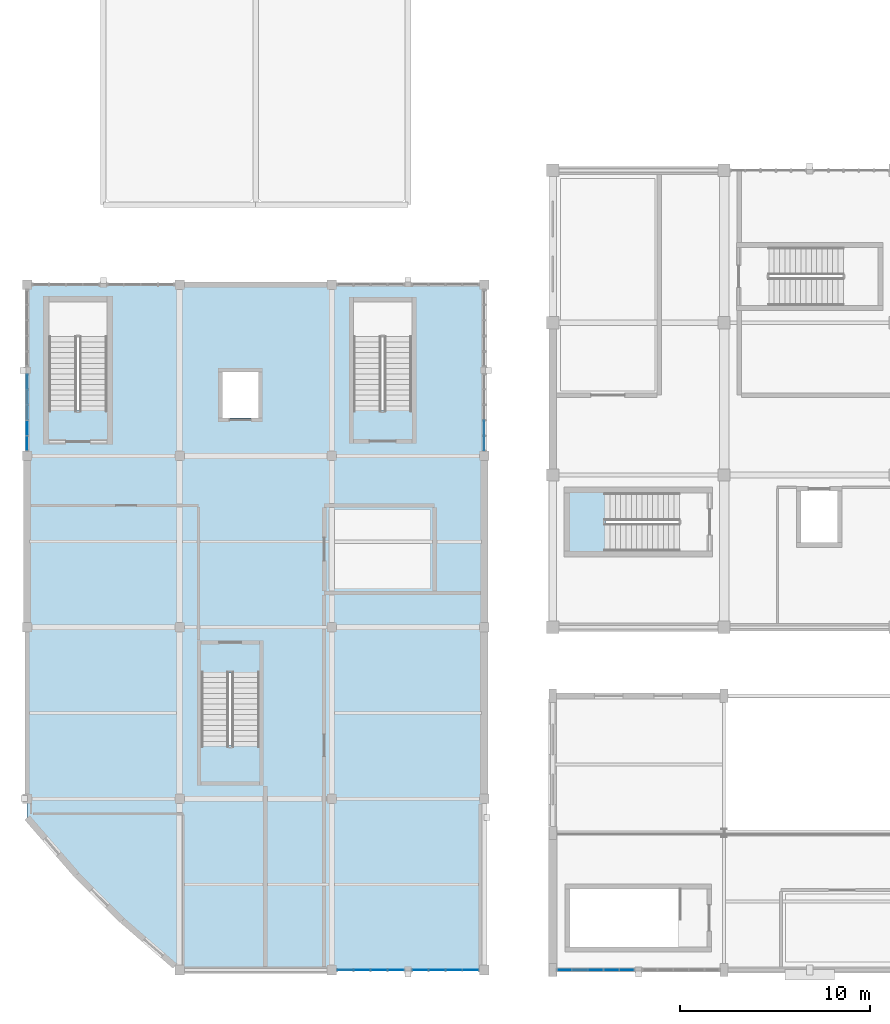
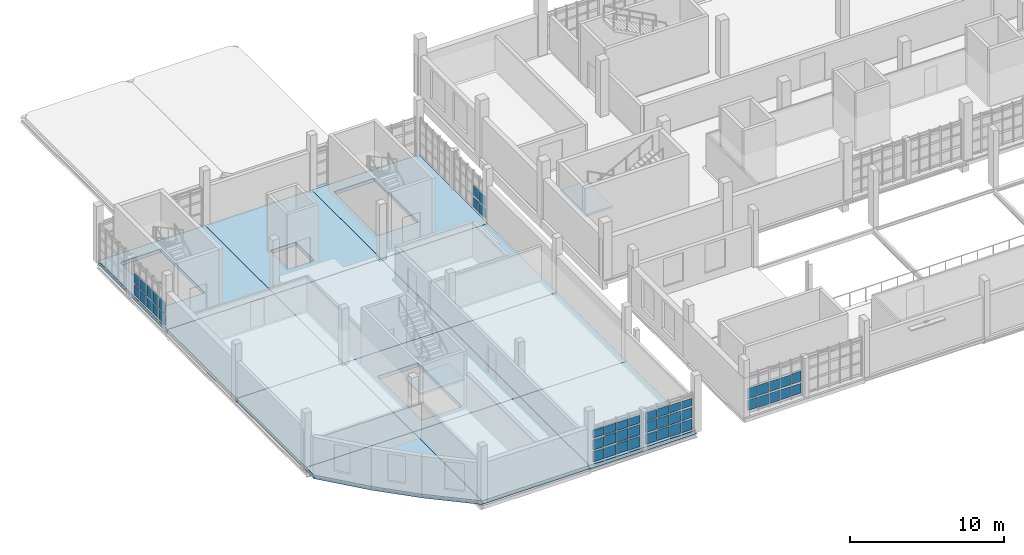
# One storey, part 78 of 125: 48 plates, 14 slabs, 7 elements without a shape of their own.
"""IFC4 building model written with IfcOpenShell, lengths in metres."""

import ifcopenshell
import ifcopenshell.guid

model = None  # the IFC model being written
_history = None  # IfcOwnerHistory: only IFC2X3 demands one
_inside = {}  # id of a spatial element -> (the spatial element, [elements in it])
_under = {}  # id of a project, library or spatial element -> (it, [spatial elements below it])
_declared = {}  # id of a project -> (the project, [libraries it declares])
_typed = {}  # id of a type object -> (the type object, [elements of that type])
_made_of = {}  # id of a material, layer set ... -> (it, [elements and type objects made of it])


def new_model(schema):
    """Start an empty IFC model of exactly this schema.

    Asked for "IFC4X3", IfcOpenShell would pick the latest addendum, in which some entities
    have other attributes; the version numbers below select the first issue.
    IFC2X3 requires an IfcOwnerHistory on every rooted entity: one is made here for all.
    """
    global model, _history
    if schema == "IFC4X3":
        model = ifcopenshell.file(schema_version=(4, 3, 0, 0))
    else:
        model = ifcopenshell.file(schema=schema)
    _inside.clear()
    _under.clear()
    _declared.clear()
    _typed.clear()
    _made_of.clear()
    _history = None
    if model.schema == "IFC2X3":
        org = make("IfcOrganization", Name="unknown")
        user = make(
            "IfcPersonAndOrganization",
            ThePerson=make("IfcPerson", FamilyName="unknown"),
            TheOrganization=org,
        )
        app = make(
            "IfcApplication",
            ApplicationDeveloper=org,
            Version="unknown",
            ApplicationFullName="unknown",
            ApplicationIdentifier="unknown",
        )
        _history = make(
            "IfcOwnerHistory",
            OwningUser=user,
            OwningApplication=app,
            ChangeAction="ADDED",
            CreationDate=0,
        )
    return model


def make(cls, **values):
    """One entity of the class cls with the attributes given. An attribute that is None is left unset."""
    return model.create_entity(
        cls, **{name: value for name, value in values.items() if value is not None}
    )


def rooted(cls, **values):
    """An entity with a GlobalId (a new one), such as an element, a storey or a relation."""
    return make(cls, GlobalId=ifcopenshell.guid.new(), OwnerHistory=_history, **values)


def si_unit(unit_type, name, prefix=None):
    """IfcSIUnit, for example si_unit("LENGTHUNIT", "METRE", prefix="MILLI")."""
    return make("IfcSIUnit", UnitType=unit_type, Prefix=prefix, Name=name)


def assignment(units):
    """IfcUnitAssignment: the units of a project."""
    return None if units is None else make("IfcUnitAssignment", Units=units)


def point(xyz):
    """IfcCartesianPoint."""
    return None if xyz is None else make("IfcCartesianPoint", Coordinates=xyz)


def direction(xyz):
    """IfcDirection."""
    return None if xyz is None else make("IfcDirection", DirectionRatios=xyz)


def frame(location, z_axis=None, x_axis=None):
    """IfcAxis2Placement3D, a coordinate frame: its origin and axes. An axis left out is left unset."""
    return make(
        "IfcAxis2Placement3D",
        Location=point(location),
        Axis=direction(z_axis),
        RefDirection=direction(x_axis),
    )


def frame_2d(location, x_axis=None):
    """IfcAxis2Placement2D, a coordinate frame in the plane: its origin and x axis."""
    return make(
        "IfcAxis2Placement2D", Location=point(location), RefDirection=direction(x_axis)
    )


def origin():
    """The frame at (0, 0, 0) with its axes left unset."""
    return frame((0.0, 0.0, 0.0))


def origin_2d():
    """The frame at (0, 0) in the plane with its x axis left unset."""
    return frame_2d((0.0, 0.0))


def place(relative_to, where):
    """IfcLocalPlacement: puts the frame where relative to a parent placement (None: the world)."""
    return make(
        "IfcLocalPlacement", PlacementRelTo=relative_to, RelativePlacement=where
    )


def context(
    kind, dimensions, precision=None, world=None, true_north=None, identifier=None
):
    """IfcGeometricRepresentationContext, for example the 3D "Model" context."""
    return make(
        "IfcGeometricRepresentationContext",
        ContextIdentifier=identifier,
        ContextType=kind,
        CoordinateSpaceDimension=dimensions,
        Precision=precision,
        WorldCoordinateSystem=world,
        TrueNorth=true_north,
    )


def subcontext(parent, identifier, kind, view, scale=None):
    """IfcGeometricRepresentationSubContext, for example "Body" below "Model"."""
    return make(
        "IfcGeometricRepresentationSubContext",
        ContextIdentifier=identifier,
        ContextType=kind,
        ParentContext=parent,
        TargetScale=scale,
        TargetView=view,
    )


def project(units=None, contexts=None):
    """IfcProject with its units and contexts."""
    return rooted(
        "IfcProject",
        Name="project",
        RepresentationContexts=contexts,
        UnitsInContext=assignment(units),
    )


def spatial(cls, under=None, at=None, **own):
    """A site, building, storey or space (cls), placed at a placement, below another one or the project."""
    s = rooted(cls, ObjectPlacement=at, **own)
    if under is not None:
        _under.setdefault(under.id(), (under, []))[1].append(s)
    return s


def polyline(points):
    """IfcPolyline through the points."""
    return make("IfcPolyline", Points=[point(p) for p in points])


def profile(cls, at=None, kind="AREA", **sizes):
    """A parametric profile (cls). Its sizes go by their IFC names, for example OverallWidth=200.0."""
    return make(cls, ProfileType=kind, Position=at, **sizes)


def rectangle(**sizes):
    """IfcRectangleProfileDef."""
    return profile("IfcRectangleProfileDef", **sizes)


def outline(outer, holes=None, kind="AREA"):
    """IfcArbitraryClosedProfileDef: a profile drawn as a closed curve; with holes, ...WithVoids."""
    if holes is None:
        return make("IfcArbitraryClosedProfileDef", ProfileType=kind, OuterCurve=outer)
    return make(
        "IfcArbitraryProfileDefWithVoids",
        ProfileType=kind,
        OuterCurve=outer,
        InnerCurves=holes,
    )


def extrude(swept, where, along, depth):
    """IfcExtrudedAreaSolid: the profile swept, set in the frame where, extruded along a direction by depth."""
    return make(
        "IfcExtrudedAreaSolid",
        SweptArea=swept,
        Position=where,
        ExtrudedDirection=direction(along),
        Depth=depth,
    )


def shape(context_of_items, identifier, shape_type, items):
    """IfcShapeRepresentation: the items that make up one representation, for example the "Body"."""
    return make(
        "IfcShapeRepresentation",
        ContextOfItems=context_of_items,
        RepresentationIdentifier=identifier,
        RepresentationType=shape_type,
        Items=items,
    )


def material(Name=None, Category=None):
    """IfcMaterial."""
    return make("IfcMaterial", Name=Name, Category=Category)


def layer(
    of_material, thickness, ventilated=None, Name=None, Category=None, Priority=None
):
    """IfcMaterialLayer: one layer of a wall or slab, of a material (None: an air gap)."""
    return make(
        "IfcMaterialLayer",
        Material=of_material,
        LayerThickness=thickness,
        IsVentilated=ventilated,
        Name=Name,
        Category=Category,
        Priority=Priority,
    )


def layer_set(layers, Name=None):
    """IfcMaterialLayerSet."""
    return make("IfcMaterialLayerSet", MaterialLayers=layers, LayerSetName=Name)


def made_of(thing, what):
    """Note that an element or type object is made of a material, layer set ...; save() writes the relation."""
    if what is not None:
        _made_of.setdefault(what.id(), (what, []))[1].append(thing)
    return thing


def type_object(cls, material=None, **own):
    """A type object (cls), such as IfcWallType, which elements share."""
    return made_of(rooted(cls, **own), material)


def element(
    cls,
    number,
    at=None,
    inside=None,
    cuts=None,
    type_object=None,
    material=None,
    context=None,
    identifier="Body",
    shape_type=None,
    held_by="IfcProductDefinitionShape",
    body=None,
    shapes=None,
    **own,
):
    """One element of the class cls, such as IfcWall. Its Tag is "e" and its number.

    at: its placement. inside: the storey or other place that contains it. cuts: it is an
    opening in that element (IfcRelVoidsElement). A single representation is given by context,
    identifier, shape_type and body (its items); several are given by shapes. held_by: the class
    of the entity that holds the representations. save() writes the other relations.
    """
    e = rooted(cls, Tag="e%d" % number, ObjectPlacement=at, **own)
    if body is not None:
        shapes = [shape(context, identifier, shape_type, body)]
    if shapes is not None:
        e.Representation = make(held_by, Representations=shapes)
    if inside is not None:
        _inside.setdefault(inside.id(), (inside, []))[1].append(e)
    if cuts is not None:
        rooted(
            "IfcRelVoidsElement", RelatingBuildingElement=cuts, RelatedOpeningElement=e
        )
    if type_object is not None:
        _typed.setdefault(type_object.id(), (type_object, []))[1].append(e)
    return made_of(e, material)


def aggregate(whole, parts):
    """IfcRelAggregates: a whole, such as a stair, and the parts it consists of."""
    return rooted("IfcRelAggregates", RelatingObject=whole, RelatedObjects=parts)


def save(model, path):
    """Write the relations noted so far, then the file.

    IfcRelAggregates (storeys below a building ...), IfcRelContainedInSpatialStructure (elements
    in a storey), IfcRelDefinesByType, IfcRelAssociatesMaterial and IfcRelDeclares: one each for
    every whole, place, type object, material and project.
    """
    for whole, parts in _under.values():
        aggregate(whole, parts)
    for where, things in _inside.values():
        rooted(
            "IfcRelContainedInSpatialStructure",
            RelatedElements=things,
            RelatingStructure=where,
        )
    for kind, things in _typed.values():
        rooted("IfcRelDefinesByType", RelatedObjects=things, RelatingType=kind)
    for what, things in _made_of.values():
        rooted("IfcRelAssociatesMaterial", RelatedObjects=things, RelatingMaterial=what)
    for by, libraries in _declared.values():
        rooted("IfcRelDeclares", RelatingContext=by, RelatedDefinitions=libraries)
    model.write(path)


model = new_model("IFC4")

# Units and contexts
model_context = context("Model", 3, precision=1e-05, world=origin(), true_north=direction((0.0, 1.0)))
body_context = subcontext(model_context, "Body", "Model", "MODEL_VIEW")
ifc_project = project(units=[si_unit("LENGTHUNIT", "METRE"), si_unit("AREAUNIT", "SQUARE_METRE"), si_unit("VOLUMEUNIT", "CUBIC_METRE"), si_unit("PLANEANGLEUNIT", "RADIAN"), si_unit("MASSUNIT", "GRAM", prefix="KILO")], contexts=[model_context])

# Site, building, storey
site_placement = place(None, origin())
site = spatial("IfcSite", under=ifc_project, at=site_placement, CompositionType="ELEMENT")
building_placement = place(site_placement, origin())
building = spatial("IfcBuilding", under=site, at=building_placement, Name="Serraforn Aerial Cableway Station", CompositionType="ELEMENT")
storey_placement = place(building_placement, frame((0.0, 0.0, 4.5)))
storey = spatial("IfcBuildingStorey", under=building, at=storey_placement, Name="L01", CompositionType="ELEMENT", Elevation=4.5)

# Curtain wall, plate
ifc_material_1 = material(Name="Anodised bronze unitised curtain wall")
curtain_wall_type_1 = type_object("IfcCurtainWallType", Name="CW-SYS-11", PredefinedType="USERDEFINED", material=ifc_material_1)
curtain_wall_1_placement = place(storey_placement, origin())
curtain_wall_1 = element("IfcCurtainWall", 1, at=curtain_wall_1_placement, inside=storey, type_object=curtain_wall_type_1, Name="Unitised Curtain Wall CW-W-L01-S3A", ObjectType="UNITISED CURTAIN WALL", PredefinedType="USERDEFINED")
ifc_material_2 = material(Name="Solar-control low-E double glazing", Category="glass")
ifc_layer_1 = layer(ifc_material_2, 0.02587890625)
ifc_layer_set_1 = layer_set([ifc_layer_1], Name="Solar-control low-E double glazing")
plate_type_1 = type_object("IfcPlateType", Name="CW-GLZ-1", PredefinedType="CURTAIN_PANEL", material=ifc_layer_set_1)
plate_1_placement = place(storey_placement, frame((19.36474609375, 0.0, 2.062255859375), z_axis=(0.0, 0.0, 1.0), x_axis=(1.0, 0.0, 0.0)))
plate_1 = element("IfcPlate", 2, at=plate_1_placement, type_object=plate_type_1, Name="Curtain Wall Panel CW-W-L01-S3A-P4-3", PredefinedType="CURTAIN_PANEL", context=body_context, shape_type="SweptSolid", body=[
    extrude(rectangle(XDim=0.804443359375, YDim=0.02587890625, at=origin_2d()), origin(), (0.0, 0.0, 1.0), 0.6103515625),
])

# Curtain wall, plates
curtain_wall_type_2 = type_object("IfcCurtainWallType", Name="CW-SYS-12", PredefinedType="USERDEFINED", material=ifc_material_1)
curtain_wall_2_placement = place(storey_placement, origin())
curtain_wall_2 = element("IfcCurtainWall", 3, at=curtain_wall_2_placement, inside=storey, type_object=curtain_wall_type_2, Name="Unitised Curtain Wall CW-W-L01-S3B", ObjectType="UNITISED CURTAIN WALL", PredefinedType="USERDEFINED")
plate_2_placement = place(storey_placement, frame((22.41748046875, 0.0, 2.062255859375), z_axis=(0.0, 0.0, 1.0), x_axis=(1.0, 0.0, 0.0)))
plate_2 = element("IfcPlate", 4, at=plate_2_placement, type_object=plate_type_1, Name="Curtain Wall Panel CW-W-L01-S3B-P3-3", PredefinedType="CURTAIN_PANEL", context=body_context, shape_type="SweptSolid", body=[
    extrude(rectangle(XDim=0.83203125, YDim=0.02587890625, at=origin_2d()), origin(), (0.0, 0.0, 1.0), 0.6103515625),
])
plate_3_placement = place(storey_placement, frame((23.289306640625, 0.0, 1.12646484375), z_axis=(0.0, 0.0, 1.0), x_axis=(1.0, 0.0, 0.0)))
plate_3 = element("IfcPlate", 5, at=plate_3_placement, type_object=plate_type_1, Name="Curtain Wall Panel CW-W-L01-S3B-P4-2", PredefinedType="CURTAIN_PANEL", context=body_context, shape_type="SweptSolid", body=[
    extrude(rectangle(XDim=0.8095703125, YDim=0.02587890625, at=origin_2d()), origin(), (0.0, 0.0, 1.0), 0.797607421875),
])

curtain_wall_type_3 = type_object("IfcCurtainWallType", Name="CW-SYS-20", PredefinedType="USERDEFINED", material=ifc_material_1)
curtain_wall_3_placement = place(storey_placement, origin())
curtain_wall_3 = element("IfcCurtainWall", 6, at=curtain_wall_3_placement, inside=storey, type_object=curtain_wall_type_3, Name="Unitised Curtain Wall CW-W-L01-W4B", ObjectType="UNITISED CURTAIN WALL", PredefinedType="USERDEFINED")
plate_4_placement = place(storey_placement, frame((0.0, 28.470947265625, 1.11376953125), z_axis=(0.0, 0.0, 1.0), x_axis=(1.0, 0.0, 0.0)))
plate_4 = element("IfcPlate", 7, at=plate_4_placement, type_object=plate_type_1, Name="Curtain Wall Panel CW-W-L01-W4B-P4-2", PredefinedType="CURTAIN_PANEL", context=body_context, shape_type="SweptSolid", body=[
    extrude(rectangle(XDim=0.02587890625, YDim=0.745849609375, at=origin_2d()), origin(), (0.0, 0.0, 1.0), 0.824951171875),
])
plate_5_placement = place(storey_placement, frame((0.0, 27.663818359375, 0.177734375), z_axis=(0.0, 0.0, 1.0), x_axis=(1.0, 0.0, 0.0)))
plate_5 = element("IfcPlate", 8, at=plate_5_placement, type_object=plate_type_1, Name="Curtain Wall Panel CW-W-L01-W4B-P5-1", PredefinedType="CURTAIN_PANEL", context=body_context, shape_type="SweptSolid", body=[
    extrude(rectangle(XDim=0.02587890625, YDim=0.725830078125, at=origin_2d()), origin(), (0.0, 0.0, 1.0), 0.824951171875),
])

curtain_wall_type_4 = type_object("IfcCurtainWallType", Name="CW-SYS-25", PredefinedType="USERDEFINED", material=ifc_material_1)
curtain_wall_4_placement = place(storey_placement, origin())
curtain_wall_4 = element("IfcCurtainWall", 9, at=curtain_wall_4_placement, inside=storey, type_object=curtain_wall_type_4, Name="Unitised Curtain Wall CW-CF-L01-S1A", ObjectType="UNITISED CURTAIN WALL", PredefinedType="USERDEFINED")
plate_6_placement = place(storey_placement, frame((29.857666015625, 0.0, 1.12646484375), z_axis=(0.0, 0.0, 1.0), x_axis=(1.0, 0.0, 0.0)))
plate_6 = element("IfcPlate", 10, at=plate_6_placement, type_object=plate_type_1, Name="Curtain Wall Panel CW-CF-L01-S1A-P3-2", PredefinedType="CURTAIN_PANEL", context=body_context, shape_type="SweptSolid", body=[
    extrude(rectangle(XDim=0.77099609375, YDim=0.02587890625, at=origin_2d()), origin(), (0.0, 0.0, 1.0), 0.797607421875),
])
plate_7_placement = place(storey_placement, frame((30.68212890625, 0.0, 0.1904296875), z_axis=(0.0, 0.0, 1.0), x_axis=(1.0, 0.0, 0.0)))
plate_7 = element("IfcPlate", 11, at=plate_7_placement, type_object=plate_type_1, Name="Curtain Wall Panel CW-CF-L01-S1A-P4-1", PredefinedType="CURTAIN_PANEL", context=body_context, shape_type="SweptSolid", body=[
    extrude(rectangle(XDim=0.765869140625, YDim=0.02587890625, at=origin_2d()), origin(), (0.0, 0.0, 1.0), 0.797607421875),
])

# Plate
ifc_layer_2 = layer(ifc_material_2, 0.028076171875)
ifc_layer_set_2 = layer_set([ifc_layer_2], Name="Solar-control low-E double glazing")
plate_type_2 = type_object("IfcPlateType", Name="CW-GLZ-2", PredefinedType="CURTAIN_PANEL", material=ifc_layer_set_2)
plate_8_placement = place(storey_placement, frame((23.289306640625, 0.0, 2.06982421875), z_axis=(0.0, 0.0, 1.0), x_axis=(1.0, 0.0, 0.0)))
plate_8 = element("IfcPlate", 12, at=plate_8_placement, type_object=plate_type_2, Name="Curtain Wall Panel CW-W-L01-S3B-P4-3", PredefinedType="CURTAIN_PANEL", context=body_context, shape_type="SweptSolid", body=[
    extrude(rectangle(XDim=0.8095703125, YDim=0.028076171875, at=origin_2d()), origin(), (0.0, 0.0, 1.0), 0.59521484375),
])

plate_9_placement = place(storey_placement, frame((0.0, 27.663818359375, 1.118896484375), z_axis=(0.0, 0.0, 1.0), x_axis=(1.0, 0.0, 0.0)))
plate_9 = element("IfcPlate", 13, at=plate_9_placement, type_object=plate_type_2, Name="Curtain Wall Panel CW-W-L01-W4B-P5-2", PredefinedType="CURTAIN_PANEL", context=body_context, shape_type="SweptSolid", body=[
    extrude(rectangle(XDim=0.028076171875, YDim=0.725830078125, at=origin_2d()), origin(), (0.0, 0.0, 1.0), 0.8125),
])

plate_10_placement = place(storey_placement, frame((30.68212890625, 0.0, 1.1337890625), z_axis=(0.0, 0.0, 1.0), x_axis=(1.0, 0.0, 0.0)))
plate_10 = element("IfcPlate", 14, at=plate_10_placement, type_object=plate_type_2, Name="Curtain Wall Panel CW-CF-L01-S1A-P4-2", PredefinedType="CURTAIN_PANEL", context=body_context, shape_type="SweptSolid", body=[
    extrude(rectangle(XDim=0.765869140625, YDim=0.028076171875, at=origin_2d()), origin(), (0.0, 0.0, 1.0), 0.782470703125),
])

plate_11_placement = place(storey_placement, frame((31.489013671875, 0.0, 0.19775390625), z_axis=(0.0, 0.0, 1.0), x_axis=(1.0, 0.0, 0.0)))
plate_11 = element("IfcPlate", 15, at=plate_11_placement, type_object=plate_type_2, Name="Curtain Wall Panel CW-CF-L01-S1A-P5-1", PredefinedType="CURTAIN_PANEL", context=body_context, shape_type="SweptSolid", body=[
    extrude(rectangle(XDim=0.725830078125, YDim=0.028076171875, at=origin_2d()), origin(), (0.0, 0.0, 1.0), 0.782470703125),
])

ifc_layer_3 = layer(ifc_material_2, 0.030029296875)
ifc_layer_set_3 = layer_set([ifc_layer_3], Name="Solar-control low-E double glazing")
plate_type_3 = type_object("IfcPlateType", Name="CW-GLZ-3", PredefinedType="CURTAIN_PANEL", material=ifc_layer_set_3)
plate_12_placement = place(storey_placement, frame((31.489013671875, 0.0, 1.14111328125), z_axis=(0.0, 0.0, 1.0), x_axis=(1.0, 0.0, 0.0)))
plate_12 = element("IfcPlate", 16, at=plate_12_placement, type_object=plate_type_3, Name="Curtain Wall Panel CW-CF-L01-S1A-P5-2", PredefinedType="CURTAIN_PANEL", context=body_context, shape_type="SweptSolid", body=[
    extrude(rectangle(XDim=0.725830078125, YDim=0.030029296875, at=origin_2d()), origin(), (0.0, 0.0, 1.0), 0.802490234375),
])

ifc_layer_4 = layer(ifc_material_2, 0.031982421875)
ifc_layer_set_4 = layer_set([ifc_layer_4], Name="Solar-control low-E double glazing")
plate_type_4 = type_object("IfcPlateType", Name="CW-GLZ-4", PredefinedType="CURTAIN_PANEL", material=ifc_layer_set_4)
plate_13_placement = place(storey_placement, frame((16.708251953125, 0.0, 0.1904296875), z_axis=(0.0, 0.0, 1.0), x_axis=(1.0, 0.0, 0.0)))
plate_13 = element("IfcPlate", 17, at=plate_13_placement, type_object=plate_type_4, Name="Curtain Wall Panel CW-W-L01-S3A-P1-1", PredefinedType="CURTAIN_PANEL", context=body_context, shape_type="SweptSolid", body=[
    extrude(rectangle(XDim=0.804443359375, YDim=0.031982421875, at=origin_2d()), origin(), (0.0, 0.0, 1.0), 0.797607421875),
])

ifc_layer_5 = layer(ifc_material_2, 0.033935546875)
ifc_layer_set_5 = layer_set([ifc_layer_5], Name="Solar-control low-E double glazing")
plate_type_5 = type_object("IfcPlateType", Name="CW-GLZ-5", PredefinedType="CURTAIN_PANEL", material=ifc_layer_set_5)
plate_14_placement = place(storey_placement, frame((16.708251953125, 0.0, 1.1337890625), z_axis=(0.0, 0.0, 1.0), x_axis=(1.0, 0.0, 0.0)))
plate_14 = element("IfcPlate", 18, at=plate_14_placement, type_object=plate_type_5, Name="Curtain Wall Panel CW-W-L01-S3A-P1-2", PredefinedType="CURTAIN_PANEL", context=body_context, shape_type="SweptSolid", body=[
    extrude(rectangle(XDim=0.804443359375, YDim=0.033935546875, at=origin_2d()), origin(), (0.0, 0.0, 1.0), 0.782470703125),
])

plate_15_placement = place(storey_placement, frame((17.586181640625, 0.0, 0.19775390625), z_axis=(0.0, 0.0, 1.0), x_axis=(1.0, 0.0, 0.0)))
plate_15 = element("IfcPlate", 19, at=plate_15_placement, type_object=plate_type_5, Name="Curtain Wall Panel CW-W-L01-S3A-P2-1", PredefinedType="CURTAIN_PANEL", context=body_context, shape_type="SweptSolid", body=[
    extrude(rectangle(XDim=0.82958984375, YDim=0.033935546875, at=origin_2d()), origin(), (0.0, 0.0, 1.0), 0.782470703125),
])

plate_16_placement = place(storey_placement, frame((20.6416015625, 0.0, 0.19775390625), z_axis=(0.0, 0.0, 1.0), x_axis=(1.0, 0.0, 0.0)))
plate_16 = element("IfcPlate", 20, at=plate_16_placement, type_object=plate_type_5, Name="Curtain Wall Panel CW-W-L01-S3B-P1-1", PredefinedType="CURTAIN_PANEL", context=body_context, shape_type="SweptSolid", body=[
    extrude(rectangle(XDim=0.797119140625, YDim=0.033935546875, at=origin_2d()), origin(), (0.0, 0.0, 1.0), 0.782470703125),
])

plate_17_placement = place(storey_placement, frame((0.0, 30.900390625, 0.182861328125), z_axis=(0.0, 0.0, 1.0), x_axis=(1.0, 0.0, 0.0)))
plate_17 = element("IfcPlate", 21, at=plate_17_placement, type_object=plate_type_5, Name="Curtain Wall Panel CW-W-L01-W4B-P1-1", PredefinedType="CURTAIN_PANEL", context=body_context, shape_type="SweptSolid", body=[
    extrude(rectangle(XDim=0.033935546875, YDim=0.7333984375, at=origin_2d()), origin(), (0.0, 0.0, 1.0), 0.8125),
])

ifc_layer_6 = layer(ifc_material_2, 0.035888671875)
ifc_layer_set_6 = layer_set([ifc_layer_6], Name="Solar-control low-E double glazing")
plate_type_6 = type_object("IfcPlateType", Name="CW-GLZ-6", PredefinedType="CURTAIN_PANEL", material=ifc_layer_set_6)
plate_18_placement = place(storey_placement, frame((16.708251953125, 0.0, 2.077392578125), z_axis=(0.0, 0.0, 1.0), x_axis=(1.0, 0.0, 0.0)))
plate_18 = element("IfcPlate", 22, at=plate_18_placement, type_object=plate_type_6, Name="Curtain Wall Panel CW-W-L01-S3A-P1-3", PredefinedType="CURTAIN_PANEL", context=body_context, shape_type="SweptSolid", body=[
    extrude(rectangle(XDim=0.804443359375, YDim=0.035888671875, at=origin_2d()), origin(), (0.0, 0.0, 1.0), 0.615234375),
])

plate_19_placement = place(storey_placement, frame((17.586181640625, 0.0, 1.14111328125), z_axis=(0.0, 0.0, 1.0), x_axis=(1.0, 0.0, 0.0)))
plate_19 = element("IfcPlate", 23, at=plate_19_placement, type_object=plate_type_6, Name="Curtain Wall Panel CW-W-L01-S3A-P2-2", PredefinedType="CURTAIN_PANEL", context=body_context, shape_type="SweptSolid", body=[
    extrude(rectangle(XDim=0.82958984375, YDim=0.035888671875, at=origin_2d()), origin(), (0.0, 0.0, 1.0), 0.802490234375),
])

plate_20_placement = place(storey_placement, frame((18.479248046875, 0.0, 0.20556640625), z_axis=(0.0, 0.0, 1.0), x_axis=(1.0, 0.0, 0.0)))
plate_20 = element("IfcPlate", 24, at=plate_20_placement, type_object=plate_type_6, Name="Curtain Wall Panel CW-W-L01-S3A-P3-1", PredefinedType="CURTAIN_PANEL", context=body_context, shape_type="SweptSolid", body=[
    extrude(rectangle(XDim=0.824462890625, YDim=0.035888671875, at=origin_2d()), origin(), (0.0, 0.0, 1.0), 0.802490234375),
])

plate_21_placement = place(storey_placement, frame((20.6416015625, 0.0, 1.14111328125), z_axis=(0.0, 0.0, 1.0), x_axis=(1.0, 0.0, 0.0)))
plate_21 = element("IfcPlate", 25, at=plate_21_placement, type_object=plate_type_6, Name="Curtain Wall Panel CW-W-L01-S3B-P1-2", PredefinedType="CURTAIN_PANEL", context=body_context, shape_type="SweptSolid", body=[
    extrude(rectangle(XDim=0.797119140625, YDim=0.035888671875, at=origin_2d()), origin(), (0.0, 0.0, 1.0), 0.802490234375),
])

plate_22_placement = place(storey_placement, frame((21.518310546875, 0.0, 0.20556640625), z_axis=(0.0, 0.0, 1.0), x_axis=(1.0, 0.0, 0.0)))
plate_22 = element("IfcPlate", 26, at=plate_22_placement, type_object=plate_type_6, Name="Curtain Wall Panel CW-W-L01-S3B-P2-1", PredefinedType="CURTAIN_PANEL", context=body_context, shape_type="SweptSolid", body=[
    extrude(rectangle(XDim=0.824462890625, YDim=0.035888671875, at=origin_2d()), origin(), (0.0, 0.0, 1.0), 0.802490234375),
])

plate_23_placement = place(storey_placement, frame((0.0, 30.900390625, 1.12646484375), z_axis=(0.0, 0.0, 1.0), x_axis=(1.0, 0.0, 0.0)))
plate_23 = element("IfcPlate", 27, at=plate_23_placement, type_object=plate_type_6, Name="Curtain Wall Panel CW-W-L01-W4B-P1-2", PredefinedType="CURTAIN_PANEL", context=body_context, shape_type="SweptSolid", body=[
    extrude(rectangle(XDim=0.035888671875, YDim=0.7333984375, at=origin_2d()), origin(), (0.0, 0.0, 1.0), 0.797607421875),
])

plate_24_placement = place(storey_placement, frame((0.0, 30.099609375, 0.1904296875), z_axis=(0.0, 0.0, 1.0), x_axis=(1.0, 0.0, 0.0)))
plate_24 = element("IfcPlate", 28, at=plate_24_placement, type_object=plate_type_6, Name="Curtain Wall Panel CW-W-L01-W4B-P2-1", PredefinedType="CURTAIN_PANEL", context=body_context, shape_type="SweptSolid", body=[
    extrude(rectangle(XDim=0.035888671875, YDim=0.755859375, at=origin_2d()), origin(), (0.0, 0.0, 1.0), 0.797607421875),
])

# Curtain wall, plate
curtain_wall_type_5 = type_object("IfcCurtainWallType", Name="CW-SYS-21", PredefinedType="USERDEFINED", material=ifc_material_1)
curtain_wall_5_placement = place(storey_placement, origin())
curtain_wall_5 = element("IfcCurtainWall", 29, at=curtain_wall_5_placement, inside=storey, type_object=curtain_wall_type_5, Name="Unitised Curtain Wall CW-W-L01-E4A", ObjectType="UNITISED CURTAIN WALL", PredefinedType="USERDEFINED")
plate_25_placement = place(storey_placement, frame((24.0, 27.6689453125, 0.1904296875), z_axis=(0.0, 0.0, 1.0), x_axis=(1.0, 0.0, 0.0)))
plate_25 = element("IfcPlate", 30, at=plate_25_placement, type_object=plate_type_6, Name="Curtain Wall Panel CW-W-L01-E4A-P1-1", PredefinedType="CURTAIN_PANEL", context=body_context, shape_type="SweptSolid", body=[
    extrude(rectangle(XDim=0.035888671875, YDim=0.725830078125, at=origin_2d()), origin(), (0.0, 0.0, 1.0), 0.797607421875),
])

# Plate
plate_26_placement = place(storey_placement, frame((28.226318359375, 0.0, 0.20556640625), z_axis=(0.0, 0.0, 1.0), x_axis=(1.0, 0.0, 0.0)))
plate_26 = element("IfcPlate", 31, at=plate_26_placement, type_object=plate_type_6, Name="Curtain Wall Panel CW-CF-L01-S1A-P1-1", PredefinedType="CURTAIN_PANEL", context=body_context, shape_type="SweptSolid", body=[
    extrude(rectangle(XDim=0.720947265625, YDim=0.035888671875, at=origin_2d()), origin(), (0.0, 0.0, 1.0), 0.802490234375),
])

ifc_layer_7 = layer(ifc_material_2, 0.029052734375)
ifc_layer_set_7 = layer_set([ifc_layer_7], Name="Solar-control low-E double glazing")
plate_type_7 = type_object("IfcPlateType", Name="CW-GLZ-7", PredefinedType="CURTAIN_PANEL", material=ifc_layer_set_7)
plate_27_placement = place(storey_placement, frame((17.586181640625, 0.0, 2.0498046875), z_axis=(0.0, 0.0, 1.0), x_axis=(1.0, 0.0, 0.0)))
plate_27 = element("IfcPlate", 32, at=plate_27_placement, type_object=plate_type_7, Name="Curtain Wall Panel CW-W-L01-S3A-P2-3", PredefinedType="CURTAIN_PANEL", context=body_context, shape_type="SweptSolid", body=[
    extrude(rectangle(XDim=0.82958984375, YDim=0.029052734375, at=origin_2d()), origin(), (0.0, 0.0, 1.0), 0.6376953125),
])

plate_28_placement = place(storey_placement, frame((18.479248046875, 0.0, 1.11376953125), z_axis=(0.0, 0.0, 1.0), x_axis=(1.0, 0.0, 0.0)))
plate_28 = element("IfcPlate", 33, at=plate_28_placement, type_object=plate_type_7, Name="Curtain Wall Panel CW-W-L01-S3A-P3-2", PredefinedType="CURTAIN_PANEL", context=body_context, shape_type="SweptSolid", body=[
    extrude(rectangle(XDim=0.824462890625, YDim=0.029052734375, at=origin_2d()), origin(), (0.0, 0.0, 1.0), 0.824951171875),
])

plate_29_placement = place(storey_placement, frame((19.36474609375, 0.0, 0.177734375), z_axis=(0.0, 0.0, 1.0), x_axis=(1.0, 0.0, 0.0)))
plate_29 = element("IfcPlate", 34, at=plate_29_placement, type_object=plate_type_7, Name="Curtain Wall Panel CW-W-L01-S3A-P4-1", PredefinedType="CURTAIN_PANEL", context=body_context, shape_type="SweptSolid", body=[
    extrude(rectangle(XDim=0.804443359375, YDim=0.029052734375, at=origin_2d()), origin(), (0.0, 0.0, 1.0), 0.824951171875),
])

plate_30_placement = place(storey_placement, frame((20.6416015625, 0.0, 2.0498046875), z_axis=(0.0, 0.0, 1.0), x_axis=(1.0, 0.0, 0.0)))
plate_30 = element("IfcPlate", 35, at=plate_30_placement, type_object=plate_type_7, Name="Curtain Wall Panel CW-W-L01-S3B-P1-3", PredefinedType="CURTAIN_PANEL", context=body_context, shape_type="SweptSolid", body=[
    extrude(rectangle(XDim=0.797119140625, YDim=0.029052734375, at=origin_2d()), origin(), (0.0, 0.0, 1.0), 0.6376953125),
])

plate_31_placement = place(storey_placement, frame((21.518310546875, 0.0, 1.11376953125), z_axis=(0.0, 0.0, 1.0), x_axis=(1.0, 0.0, 0.0)))
plate_31 = element("IfcPlate", 36, at=plate_31_placement, type_object=plate_type_7, Name="Curtain Wall Panel CW-W-L01-S3B-P2-2", PredefinedType="CURTAIN_PANEL", context=body_context, shape_type="SweptSolid", body=[
    extrude(rectangle(XDim=0.824462890625, YDim=0.029052734375, at=origin_2d()), origin(), (0.0, 0.0, 1.0), 0.824951171875),
])

plate_32_placement = place(storey_placement, frame((22.41748046875, 0.0, 0.177734375), z_axis=(0.0, 0.0, 1.0), x_axis=(1.0, 0.0, 0.0)))
plate_32 = element("IfcPlate", 37, at=plate_32_placement, type_object=plate_type_7, Name="Curtain Wall Panel CW-W-L01-S3B-P3-1", PredefinedType="CURTAIN_PANEL", context=body_context, shape_type="SweptSolid", body=[
    extrude(rectangle(XDim=0.83203125, YDim=0.029052734375, at=origin_2d()), origin(), (0.0, 0.0, 1.0), 0.824951171875),
])

plate_33_placement = place(storey_placement, frame((0.0, 30.099609375, 1.1337890625), z_axis=(0.0, 0.0, 1.0), x_axis=(1.0, 0.0, 0.0)))
plate_33 = element("IfcPlate", 38, at=plate_33_placement, type_object=plate_type_7, Name="Curtain Wall Panel CW-W-L01-W4B-P2-2", PredefinedType="CURTAIN_PANEL", context=body_context, shape_type="SweptSolid", body=[
    extrude(rectangle(XDim=0.029052734375, YDim=0.755859375, at=origin_2d()), origin(), (0.0, 0.0, 1.0), 0.782470703125),
])

plate_34_placement = place(storey_placement, frame((0.0, 29.285400390625, 0.19775390625), z_axis=(0.0, 0.0, 1.0), x_axis=(1.0, 0.0, 0.0)))
plate_34 = element("IfcPlate", 39, at=plate_34_placement, type_object=plate_type_7, Name="Curtain Wall Panel CW-W-L01-W4B-P3-1", PredefinedType="CURTAIN_PANEL", context=body_context, shape_type="SweptSolid", body=[
    extrude(rectangle(XDim=0.029052734375, YDim=0.7509765625, at=origin_2d()), origin(), (0.0, 0.0, 1.0), 0.782470703125),
])

plate_35_placement = place(storey_placement, frame((24.0, 27.6689453125, 1.1337890625), z_axis=(0.0, 0.0, 1.0), x_axis=(1.0, 0.0, 0.0)))
plate_35 = element("IfcPlate", 40, at=plate_35_placement, type_object=plate_type_7, Name="Curtain Wall Panel CW-W-L01-E4A-P1-2", PredefinedType="CURTAIN_PANEL", context=body_context, shape_type="SweptSolid", body=[
    extrude(rectangle(XDim=0.029052734375, YDim=0.725830078125, at=origin_2d()), origin(), (0.0, 0.0, 1.0), 0.782470703125),
])

plate_36_placement = place(storey_placement, frame((24.0, 28.468505859375, 0.19775390625), z_axis=(0.0, 0.0, 1.0), x_axis=(1.0, 0.0, 0.0)))
plate_36 = element("IfcPlate", 41, at=plate_36_placement, type_object=plate_type_7, Name="Curtain Wall Panel CW-W-L01-E4A-P2-1", PredefinedType="CURTAIN_PANEL", context=body_context, shape_type="SweptSolid", body=[
    extrude(rectangle(XDim=0.029052734375, YDim=0.7509765625, at=origin_2d()), origin(), (0.0, 0.0, 1.0), 0.782470703125),
])

plate_37_placement = place(storey_placement, frame((28.226318359375, 0.0, 1.11376953125), z_axis=(0.0, 0.0, 1.0), x_axis=(1.0, 0.0, 0.0)))
plate_37 = element("IfcPlate", 42, at=plate_37_placement, type_object=plate_type_7, Name="Curtain Wall Panel CW-CF-L01-S1A-P1-2", PredefinedType="CURTAIN_PANEL", context=body_context, shape_type="SweptSolid", body=[
    extrude(rectangle(XDim=0.720947265625, YDim=0.029052734375, at=origin_2d()), origin(), (0.0, 0.0, 1.0), 0.824951171875),
])

plate_38_placement = place(storey_placement, frame((29.03955078125, 0.0, 0.177734375), z_axis=(0.0, 0.0, 1.0), x_axis=(1.0, 0.0, 0.0)))
plate_38 = element("IfcPlate", 43, at=plate_38_placement, type_object=plate_type_7, Name="Curtain Wall Panel CW-CF-L01-S1A-P2-1", PredefinedType="CURTAIN_PANEL", context=body_context, shape_type="SweptSolid", body=[
    extrude(rectangle(XDim=0.763427734375, YDim=0.029052734375, at=origin_2d()), origin(), (0.0, 0.0, 1.0), 0.824951171875),
])

ifc_layer_8 = layer(ifc_material_2, 0.031005859375)
ifc_layer_set_8 = layer_set([ifc_layer_8], Name="Solar-control low-E double glazing")
plate_type_8 = type_object("IfcPlateType", Name="CW-GLZ-8", PredefinedType="CURTAIN_PANEL", material=ifc_layer_set_8)
plate_39_placement = place(storey_placement, frame((18.479248046875, 0.0, 2.0546875), z_axis=(0.0, 0.0, 1.0), x_axis=(1.0, 0.0, 0.0)))
plate_39 = element("IfcPlate", 44, at=plate_39_placement, type_object=plate_type_8, Name="Curtain Wall Panel CW-W-L01-S3A-P3-3", PredefinedType="CURTAIN_PANEL", context=body_context, shape_type="SweptSolid", body=[
    extrude(rectangle(XDim=0.824462890625, YDim=0.031005859375, at=origin_2d()), origin(), (0.0, 0.0, 1.0), 0.625244140625),
])

plate_40_placement = place(storey_placement, frame((19.36474609375, 0.0, 1.118896484375), z_axis=(0.0, 0.0, 1.0), x_axis=(1.0, 0.0, 0.0)))
plate_40 = element("IfcPlate", 45, at=plate_40_placement, type_object=plate_type_8, Name="Curtain Wall Panel CW-W-L01-S3A-P4-2", PredefinedType="CURTAIN_PANEL", context=body_context, shape_type="SweptSolid", body=[
    extrude(rectangle(XDim=0.804443359375, YDim=0.031005859375, at=origin_2d()), origin(), (0.0, 0.0, 1.0), 0.8125),
])

aggregate(curtain_wall_1, [plate_13, plate_14, plate_18, plate_15, plate_19, plate_27, plate_20, plate_28, plate_39, plate_29, plate_40, plate_1])

plate_41_placement = place(storey_placement, frame((21.518310546875, 0.0, 2.0546875), z_axis=(0.0, 0.0, 1.0), x_axis=(1.0, 0.0, 0.0)))
plate_41 = element("IfcPlate", 46, at=plate_41_placement, type_object=plate_type_8, Name="Curtain Wall Panel CW-W-L01-S3B-P2-3", PredefinedType="CURTAIN_PANEL", context=body_context, shape_type="SweptSolid", body=[
    extrude(rectangle(XDim=0.824462890625, YDim=0.031005859375, at=origin_2d()), origin(), (0.0, 0.0, 1.0), 0.625244140625),
])

plate_42_placement = place(storey_placement, frame((22.41748046875, 0.0, 1.118896484375), z_axis=(0.0, 0.0, 1.0), x_axis=(1.0, 0.0, 0.0)))
plate_42 = element("IfcPlate", 47, at=plate_42_placement, type_object=plate_type_8, Name="Curtain Wall Panel CW-W-L01-S3B-P3-2", PredefinedType="CURTAIN_PANEL", context=body_context, shape_type="SweptSolid", body=[
    extrude(rectangle(XDim=0.83203125, YDim=0.031005859375, at=origin_2d()), origin(), (0.0, 0.0, 1.0), 0.8125),
])

plate_43_placement = place(storey_placement, frame((23.289306640625, 0.0, 0.182861328125), z_axis=(0.0, 0.0, 1.0), x_axis=(1.0, 0.0, 0.0)))
plate_43 = element("IfcPlate", 48, at=plate_43_placement, type_object=plate_type_8, Name="Curtain Wall Panel CW-W-L01-S3B-P4-1", PredefinedType="CURTAIN_PANEL", context=body_context, shape_type="SweptSolid", body=[
    extrude(rectangle(XDim=0.8095703125, YDim=0.031005859375, at=origin_2d()), origin(), (0.0, 0.0, 1.0), 0.8125),
])

aggregate(curtain_wall_2, [plate_16, plate_21, plate_30, plate_22, plate_31, plate_41, plate_32, plate_42, plate_2, plate_43, plate_3, plate_8])

plate_44_placement = place(storey_placement, frame((0.0, 29.285400390625, 1.14111328125), z_axis=(0.0, 0.0, 1.0), x_axis=(1.0, 0.0, 0.0)))
plate_44 = element("IfcPlate", 49, at=plate_44_placement, type_object=plate_type_8, Name="Curtain Wall Panel CW-W-L01-W4B-P3-2", PredefinedType="CURTAIN_PANEL", context=body_context, shape_type="SweptSolid", body=[
    extrude(rectangle(XDim=0.031005859375, YDim=0.7509765625, at=origin_2d()), origin(), (0.0, 0.0, 1.0), 0.802490234375),
])

plate_45_placement = place(storey_placement, frame((0.0, 28.470947265625, 0.20556640625), z_axis=(0.0, 0.0, 1.0), x_axis=(1.0, 0.0, 0.0)))
plate_45 = element("IfcPlate", 50, at=plate_45_placement, type_object=plate_type_8, Name="Curtain Wall Panel CW-W-L01-W4B-P4-1", PredefinedType="CURTAIN_PANEL", context=body_context, shape_type="SweptSolid", body=[
    extrude(rectangle(XDim=0.031005859375, YDim=0.745849609375, at=origin_2d()), origin(), (0.0, 0.0, 1.0), 0.802490234375),
])

aggregate(curtain_wall_3, [plate_17, plate_23, plate_24, plate_33, plate_34, plate_44, plate_45, plate_4, plate_5, plate_9])

plate_46_placement = place(storey_placement, frame((24.0, 28.468505859375, 1.14111328125), z_axis=(0.0, 0.0, 1.0), x_axis=(1.0, 0.0, 0.0)))
plate_46 = element("IfcPlate", 51, at=plate_46_placement, type_object=plate_type_8, Name="Curtain Wall Panel CW-W-L01-E4A-P2-2", PredefinedType="CURTAIN_PANEL", context=body_context, shape_type="SweptSolid", body=[
    extrude(rectangle(XDim=0.031005859375, YDim=0.7509765625, at=origin_2d()), origin(), (0.0, 0.0, 1.0), 0.802490234375),
])

aggregate(curtain_wall_5, [plate_25, plate_35, plate_36, plate_46])

plate_47_placement = place(storey_placement, frame((29.03955078125, 0.0, 1.118896484375), z_axis=(0.0, 0.0, 1.0), x_axis=(1.0, 0.0, 0.0)))
plate_47 = element("IfcPlate", 52, at=plate_47_placement, type_object=plate_type_8, Name="Curtain Wall Panel CW-CF-L01-S1A-P2-2", PredefinedType="CURTAIN_PANEL", context=body_context, shape_type="SweptSolid", body=[
    extrude(rectangle(XDim=0.763427734375, YDim=0.031005859375, at=origin_2d()), origin(), (0.0, 0.0, 1.0), 0.8125),
])

plate_48_placement = place(storey_placement, frame((29.857666015625, 0.0, 0.182861328125), z_axis=(0.0, 0.0, 1.0), x_axis=(1.0, 0.0, 0.0)))
plate_48 = element("IfcPlate", 53, at=plate_48_placement, type_object=plate_type_8, Name="Curtain Wall Panel CW-CF-L01-S1A-P3-1", PredefinedType="CURTAIN_PANEL", context=body_context, shape_type="SweptSolid", body=[
    extrude(rectangle(XDim=0.77099609375, YDim=0.031005859375, at=origin_2d()), origin(), (0.0, 0.0, 1.0), 0.8125),
])

aggregate(curtain_wall_4, [plate_26, plate_37, plate_38, plate_47, plate_48, plate_6, plate_7, plate_10, plate_11, plate_12])

# Slabs
ifc_material_3 = material(Name="Concrete C35/45", Category="concrete")
ifc_layer_9 = layer(ifc_material_3, 0.27490234375)
ifc_layer_set_9 = layer_set([ifc_layer_9], Name="Concrete C35/45")
slab_type_1 = type_object("IfcSlabType", Name="SLB-FLR-275", PredefinedType="FLOOR", material=ifc_layer_set_9)
slab_1_placement = place(storey_placement, frame((0.0, 0.0, -0.27490234375)))
element("IfcSlab", 54, at=slab_1_placement, inside=storey, type_object=slab_type_1, Name="Floor Slab W-L01-1-2", PredefinedType="FLOOR", context=body_context, shape_type="SweptSolid", body=[
    extrude(outline(polyline([(0.0, 9.0), (8.0, 9.0), (8.0, 18.0), (0.0, 18.0), (0.0, 9.0)])), origin(), (0.0, 0.0, 1.0), 0.27490234375),
])
slab_2_placement = place(storey_placement, frame((0.0, 0.0, -0.27490234375)))
element("IfcSlab", 55, at=slab_2_placement, inside=storey, type_object=slab_type_1, Name="Floor Slab W-L01-1-4", PredefinedType="FLOOR", context=body_context, shape_type="SweptSolid", body=[
    extrude(outline(polyline([(0.0, 27.0), (8.0, 27.0), (8.0, 36.0), (0.0, 36.0), (0.0, 27.0)]), holes=[polyline([(4.199951171875, 29.39990234375), (4.199951171875, 35.10009765625), (1.139892578125, 35.10009765625), (1.139892578125, 29.39990234375), (4.199951171875, 29.39990234375)])]), origin(), (0.0, 0.0, 1.0), 0.27490234375),
])
slab_3_placement = place(storey_placement, frame((0.0, 0.0, -0.27490234375)))
element("IfcSlab", 56, at=slab_3_placement, inside=storey, type_object=slab_type_1, Name="Floor Slab W-L01-2-1", PredefinedType="FLOOR", context=body_context, shape_type="SweptSolid", body=[
    extrude(outline(polyline([(8.0, 0.0), (16.0, 0.0), (16.0, 9.0), (8.0, 9.0), (8.0, 0.0)])), origin(), (0.0, 0.0, 1.0), 0.27490234375),
])
slab_4_placement = place(storey_placement, frame((0.0, 0.0, -0.27490234375)))
element("IfcSlab", 57, at=slab_4_placement, inside=storey, type_object=slab_type_1, Name="Floor Slab W-L01-2-3", PredefinedType="FLOOR", context=body_context, shape_type="SweptSolid", body=[
    extrude(outline(polyline([(8.0, 18.0), (16.0, 18.0), (16.0, 27.0), (8.0, 27.0), (8.0, 18.0)])), origin(), (0.0, 0.0, 1.0), 0.27490234375),
])
slab_5_placement = place(storey_placement, frame((0.0, 0.0, -0.27490234375)))
element("IfcSlab", 58, at=slab_5_placement, inside=storey, type_object=slab_type_1, Name="Floor Slab W-L01-3-2", PredefinedType="FLOOR", context=body_context, shape_type="SweptSolid", body=[
    extrude(outline(polyline([(16.0, 9.0), (24.0, 9.0), (24.0, 18.0), (16.0, 18.0), (16.0, 9.0)])), origin(), (0.0, 0.0, 1.0), 0.27490234375),
])
slab_6_placement = place(storey_placement, frame((0.0, 0.0, -0.27490234375)))
element("IfcSlab", 59, at=slab_6_placement, inside=storey, type_object=slab_type_1, Name="Floor Slab W-L01-3-4", PredefinedType="FLOOR", context=body_context, shape_type="SweptSolid", body=[
    extrude(outline(polyline([(16.0, 27.0), (24.0, 27.0), (24.0, 36.0), (16.0, 36.0), (16.0, 27.0)]), holes=[polyline([(20.199951171875, 29.39990234375), (20.199951171875, 35.10009765625), (17.139892578125, 35.10009765625), (17.139892578125, 29.39990234375), (20.199951171875, 29.39990234375)])]), origin(), (0.0, 0.0, 1.0), 0.27490234375),
])
ifc_layer_10 = layer(ifc_material_3, 0.294921875)
ifc_layer_set_10 = layer_set([ifc_layer_10], Name="Concrete C35/45")
slab_type_2 = type_object("IfcSlabType", Name="SLB-FLR-295", PredefinedType="FLOOR", material=ifc_layer_set_10)
slab_7_placement = place(storey_placement, frame((0.0, 0.0, -0.294921875)))
element("IfcSlab", 60, at=slab_7_placement, inside=storey, type_object=slab_type_2, Name="Floor Slab W-L01-1-1", PredefinedType="FLOOR", context=body_context, shape_type="SweptSolid", body=[
    extrude(outline(polyline([(8.0, 0.0), (8.0, 0.0), (8.0, 9.0), (0.0, 9.0), (0.0, 8.0), (2.60009765625, 5.0), (5.0, 2.60009765625), (8.0, 0.0)])), origin(), (0.0, 0.0, 1.0), 0.294921875),
])
slab_8_placement = place(storey_placement, frame((0.0, 0.0, -0.294921875)))
element("IfcSlab", 61, at=slab_8_placement, inside=storey, type_object=slab_type_2, Name="Floor Slab W-L01-1-3", PredefinedType="FLOOR", context=body_context, shape_type="SweptSolid", body=[
    extrude(outline(polyline([(0.0, 18.0), (8.0, 18.0), (8.0, 27.0), (0.0, 27.0), (0.0, 18.0)])), origin(), (0.0, 0.0, 1.0), 0.294921875),
])
slab_9_placement = place(storey_placement, frame((0.0, 0.0, -0.294921875)))
element("IfcSlab", 62, at=slab_9_placement, inside=storey, type_object=slab_type_2, Name="Floor Slab W-L01-2-2", PredefinedType="FLOOR", context=body_context, shape_type="SweptSolid", body=[
    extrude(outline(polyline([(8.0, 9.0), (16.0, 9.0), (16.0, 18.0), (8.0, 18.0), (8.0, 9.0)]), holes=[polyline([(9.139892578125, 15.60009765625), (9.139892578125, 9.89990234375), (12.199951171875, 9.89990234375), (12.199951171875, 15.60009765625), (9.139892578125, 15.60009765625)])]), origin(), (0.0, 0.0, 1.0), 0.294921875),
])
slab_10_placement = place(storey_placement, frame((0.0, 0.0, -0.294921875)))
element("IfcSlab", 63, at=slab_10_placement, inside=storey, type_object=slab_type_2, Name="Floor Slab W-L01-2-4", PredefinedType="FLOOR", context=body_context, shape_type="SweptSolid", body=[
    extrude(outline(polyline([(8.0, 27.0), (16.0, 27.0), (16.0, 36.0), (8.0, 36.0), (8.0, 27.0)]), holes=[polyline([(10.25, 29.0), (12.14990234375, 29.0), (12.14990234375, 31.39990234375), (10.25, 31.39990234375), (10.25, 29.0)])]), origin(), (0.0, 0.0, 1.0), 0.294921875),
])
slab_11_placement = place(storey_placement, frame((0.0, 0.0, -0.294921875)))
element("IfcSlab", 64, at=slab_11_placement, inside=storey, type_object=slab_type_2, Name="Floor Slab W-L01-3-1", PredefinedType="FLOOR", context=body_context, shape_type="SweptSolid", body=[
    extrude(outline(polyline([(16.0, 0.0), (24.0, 0.0), (24.0, 9.0), (16.0, 9.0), (16.0, 0.0)])), origin(), (0.0, 0.0, 1.0), 0.294921875),
])
slab_12_placement = place(storey_placement, frame((0.0, 0.0, -0.294921875)))
element("IfcSlab", 65, at=slab_12_placement, inside=storey, type_object=slab_type_2, Name="Floor Slab W-L01-3-3", PredefinedType="FLOOR", context=body_context, shape_type="SweptSolid", body=[
    extrude(outline(polyline([(16.0, 18.0), (24.0, 18.0), (24.0, 27.0), (16.0, 27.0), (16.0, 18.0)])), origin(), (0.0, 0.0, 1.0), 0.294921875),
])

# Stair, slab
stair_type_1 = type_object("IfcStairType", Name="STR-DL-3", PredefinedType="HALF_TURN_STAIR", material=ifc_material_3)
stair_1_placement = place(storey_placement, origin())
stair_1 = element("IfcStair", 66, at=stair_1_placement, inside=storey, type_object=stair_type_1, Name="L01 West Wing South Concourse Stair 12", PredefinedType="HALF_TURN_STAIR")
ifc_layer_11 = layer(ifc_material_3, 0.159912109375)
ifc_layer_set_11 = layer_set([ifc_layer_11], Name="Concrete C35/45")
slab_type_3 = type_object("IfcSlabType", Name="SLB-LND-160", PredefinedType="LANDING", material=ifc_layer_set_11)
slab_13_placement = place(storey_placement, frame((0.0, 0.0, 2.090087890625)))
slab_13 = element("IfcSlab", 67, at=slab_13_placement, type_object=slab_type_3, Name="ST-12 landing 1", PredefinedType="LANDING", context=body_context, shape_type="SweptSolid", body=[
    extrude(outline(polyline([(9.02001953125, 11.780029296875), (9.02001953125, 9.780029296875), (12.320068359375, 9.780029296875), (12.320068359375, 11.780029296875), (9.02001953125, 11.780029296875)])), origin(), (0.0, 0.0, 1.0), 0.159912109375),
])
aggregate(stair_1, [slab_13])

stair_type_2 = type_object("IfcStairType", Name="STR-DL-1", PredefinedType="HALF_TURN_STAIR", material=ifc_material_3)
stair_2_placement = place(storey_placement, origin())
stair_2 = element("IfcStair", 68, at=stair_2_placement, inside=storey, type_object=stair_type_2, Name="L01 Vault West Protected Exit Stair 3", PredefinedType="HALF_TURN_STAIR")
slab_14_placement = place(storey_placement, frame((0.0, 0.0, 2.090087890625)))
slab_14 = element("IfcSlab", 69, at=slab_14_placement, type_object=slab_type_3, Name="ST-03 landing 1", PredefinedType="LANDING", context=body_context, shape_type="SweptSolid", body=[
    extrude(outline(polyline([(30.3798828125, 25.179931640625), (28.3798828125, 25.179931640625), (28.3798828125, 21.8798828125), (30.3798828125, 21.8798828125), (30.3798828125, 25.179931640625)])), origin(), (0.0, 0.0, 1.0), 0.159912109375),
])
aggregate(stair_2, [slab_14])

save(model, "model.ifc")
